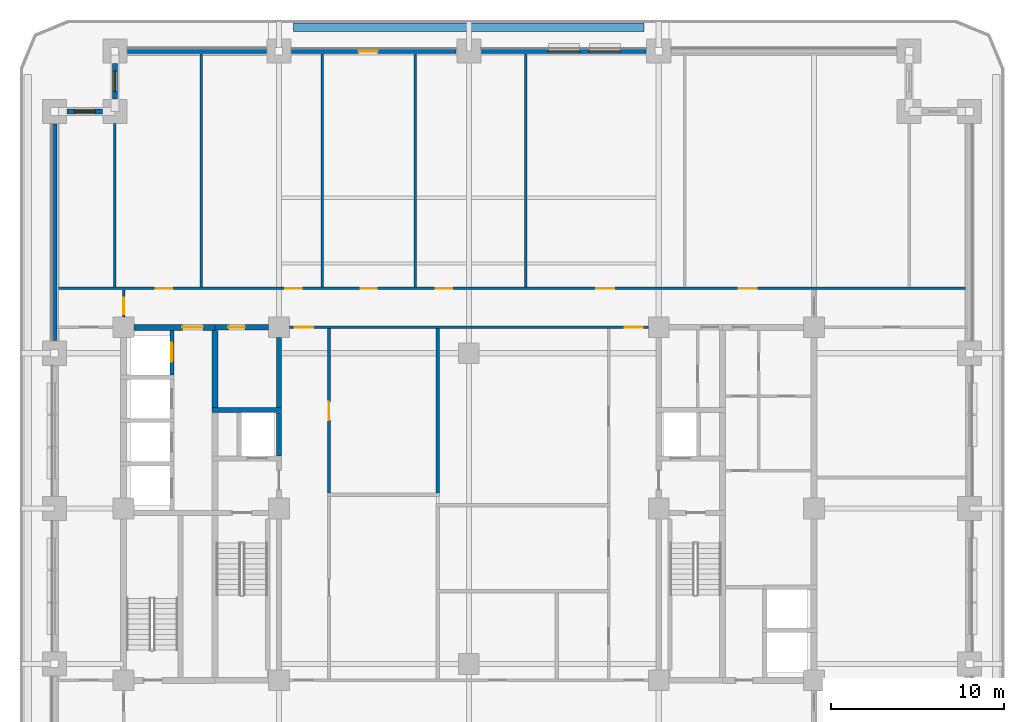
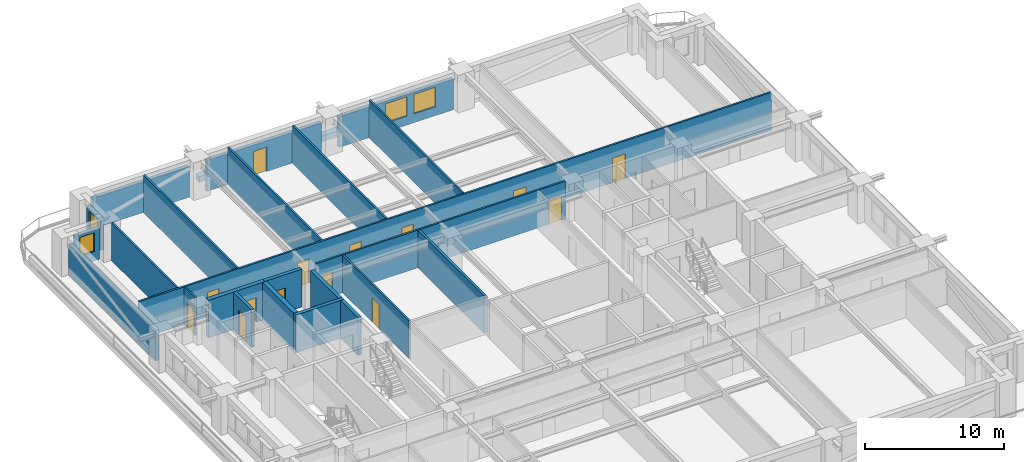
# One storey, part 5 of 15: 24 walls, 14 doors, 4 windows, 18 openings.
"""IFC4 building model written with IfcOpenShell, lengths in metres."""

from ifc_helpers import new_model, si_unit, direction, frame, frame_2d, origin, place, context, subcontext, project, spatial, rectangle, extrude, material, layer, layer_set, type_object, element, fill, save


model = new_model("IFC4")

# Units and contexts
model_context = context("Model", 3, precision=1e-05, world=origin(), true_north=direction((0.0, 1.0)))
body_context = subcontext(model_context, "Body", "Model", "MODEL_VIEW")
ifc_project = project(units=[si_unit("LENGTHUNIT", "METRE"), si_unit("AREAUNIT", "SQUARE_METRE"), si_unit("VOLUMEUNIT", "CUBIC_METRE"), si_unit("PLANEANGLEUNIT", "RADIAN"), si_unit("MASSUNIT", "GRAM", prefix="KILO")], contexts=[model_context])

# Site, building, storey
site_placement = place(None, origin())
site = spatial("IfcSite", under=ifc_project, at=site_placement, CompositionType="ELEMENT")
building_placement = place(site_placement, origin())
building = spatial("IfcBuilding", under=site, at=building_placement, Name="Zulmaris Gate Convention Tower", CompositionType="ELEMENT")
storey_placement = place(building_placement, frame((0.0, 0.0, 37.909912109375)))
storey = spatial("IfcBuildingStorey", under=building, at=storey_placement, Name="L08", CompositionType="ELEMENT", Elevation=37.909912109375)

# Wall, opening, door
ifc_material_1 = material(Name="Concrete C50/60", Category="concrete")
ifc_layer_1 = layer(ifc_material_1, 0.25, Name="Concrete C50/60")
ifc_layer_set_1 = layer_set([ifc_layer_1], Name="Concrete C50/60")
wall_type_1 = type_object("IfcWallType", Name="CORE-250", PredefinedType="SOLIDWALL", material=ifc_layer_set_1)
wall_1_placement = place(storey_placement, frame((-17.199951171875, 7.72705078125, 0.0), z_axis=(0.0, 0.0, 1.0), x_axis=(0.0, 1.0, 0.0)))
wall_1 = element("IfcWall", 1, at=wall_1_placement, inside=storey, type_object=wall_type_1, Name="WL-L08-043", PredefinedType="SOLIDWALL", context=body_context, shape_type="SweptSolid", body=[
    extrude(rectangle(XDim=2.595947265625, YDim=0.25, at=frame_2d((1.2978515625, 0.0))), origin(), (0.0, 0.0, 1.0), 3.320068359375),
])
opening_1_placement = place(wall_1_placement, frame((0.77294921875, 0.0, 0.0)))
opening_1 = element("IfcOpeningElement", 2, at=opening_1_placement, cuts=wall_1, Name="Opening D-06", PredefinedType="OPENING", context=body_context, shape_type="SweptSolid", body=[
    extrude(rectangle(XDim=1.10009765625, YDim=2.199951171875, at=frame_2d((0.550048828125, 1.10009765625))), frame((0.0, 0.135009765625, 0.0), z_axis=(0.0, -1.0, 0.0), x_axis=(1.0, 0.0, 0.0)), (0.0, 0.0, 1.0), 0.27001953125),
])
ifc_material_2 = material(Name="Brushed Stainless Steel", Category="steel")
door_type_1 = type_object("IfcDoorType", Name="LD-1100", OperationType="NOTDEFINED", PredefinedType="DOOR", material=ifc_material_2)
door_1_placement = place(opening_1_placement, origin())
door_1 = element("IfcDoor", 3, at=door_1_placement, inside=storey, type_object=door_type_1, Name="L08 Lift Landing Door LP-04 15", OperationType="SLIDING_TO_LEFT", OverallHeight=2.199951171875, OverallWidth=1.10009765625, PredefinedType="DOOR", context=body_context, shape_type="SweptSolid", body=[
    extrude(rectangle(XDim=1.10009765625, YDim=2.199951171875, at=frame_2d((0.550048828125, 1.10009765625))), frame((0.0, 0.02490234375, 0.0), z_axis=(0.0, -1.0, 0.0), x_axis=(1.0, 0.0, 0.0)), (0.0, 0.0, 1.0), 0.050048828125),
])
fill(opening_1, door_1)

# Wall
ifc_layer_2 = layer(ifc_material_1, 0.300048828125, Name="Concrete C50/60")
ifc_layer_set_2 = layer_set([ifc_layer_2], Name="Concrete C50/60")
wall_type_2 = type_object("IfcWallType", Name="CORE-300", PredefinedType="SHEAR", material=ifc_layer_set_2)
wall_2_placement = place(storey_placement, frame((-14.875, 5.699951171875, 0.0), z_axis=(0.0, 0.0, 1.0), x_axis=(1.0, 0.0, 0.0)))
element("IfcWall", 4, at=wall_2_placement, inside=storey, type_object=wall_type_2, Name="WL-L08-013", PredefinedType="SHEAR", context=body_context, shape_type="SweptSolid", body=[
    extrude(rectangle(XDim=4.02490234375, YDim=0.300048828125, at=frame_2d((2.012451171875, 0.0))), origin(), (0.0, 0.0, 1.0), 3.320068359375),
])

# Wall, opening, door
wall_3_placement = place(storey_placement, frame((-14.699951171875, 10.5, 0.0), z_axis=(0.0, 0.0, 1.0), x_axis=(1.0, 0.0, 0.0)))
wall_3 = element("IfcWall", 5, at=wall_3_placement, inside=storey, type_object=wall_type_2, Name="WL-L08-017", PredefinedType="SHEAR", context=body_context, shape_type="SweptSolid", body=[
    extrude(rectangle(XDim=3.095947265625, YDim=0.300048828125, at=frame_2d((1.5478515625, 0.0))), origin(), (0.0, 0.0, 1.0), 3.320068359375),
])
opening_2_placement = place(wall_3_placement, frame((0.77490234375, 0.0, 0.0)))
opening_2 = element("IfcOpeningElement", 6, at=opening_2_placement, cuts=wall_3, Name="Opening D-11", PredefinedType="OPENING", context=body_context, shape_type="SweptSolid", body=[
    extrude(rectangle(XDim=0.949951171875, YDim=2.14990234375, at=frame_2d((0.47509765625, 1.074951171875))), frame((0.0, 0.16015625, 0.0), z_axis=(0.0, -1.0, 0.0), x_axis=(1.0, 0.0, 0.0)), (0.0, 0.0, 1.0), 0.320068359375),
])
ifc_material_3 = material(Name="Fire-Rated Timber", Category="wood")
door_type_2 = type_object("IfcDoorType", Name="DR-950-FD", OperationType="NOTDEFINED", PredefinedType="DOOR", material=ifc_material_3)
door_2_placement = place(opening_2_placement, origin())
door_2 = element("IfcDoor", 7, at=door_2_placement, inside=storey, type_object=door_type_2, Name="L08 Core Archive Door 07", OperationType="SINGLE_SWING_LEFT", OverallHeight=2.14990234375, OverallWidth=0.949951171875, PredefinedType="DOOR", context=body_context, shape_type="SweptSolid", body=[
    extrude(rectangle(XDim=0.949951171875, YDim=2.14990234375, at=frame_2d((0.47509765625, 1.074951171875))), frame((0.0, 0.02490234375, 0.0), z_axis=(0.0, -1.0, 0.0), x_axis=(1.0, 0.0, 0.0)), (0.0, 0.0, 1.0), 0.050048828125),
])
fill(opening_2, door_2)

# Walls
wall_4_placement = place(storey_placement, frame((-11.0, 3.052001953125, 0.0), z_axis=(0.0, 0.0, 1.0), x_axis=(0.0, 1.0, 0.0)))
element("IfcWall", 8, at=wall_4_placement, inside=storey, type_object=wall_type_2, Name="WL-L08-053", PredefinedType="SHEAR", context=body_context, shape_type="SweptSolid", body=[
    extrude(rectangle(XDim=2.49609375, YDim=0.300048828125, at=frame_2d((1.248046875, 0.0))), origin(), (0.0, 0.0, 1.0), 3.320068359375),
])
wall_5_placement = place(storey_placement, frame((-11.0, 5.85205078125, 0.0), z_axis=(0.0, 0.0, 1.0), x_axis=(0.0, 1.0, 0.0)))
element("IfcWall", 9, at=wall_5_placement, inside=storey, type_object=wall_type_2, Name="WL-L08-054", PredefinedType="SHEAR", context=body_context, shape_type="SweptSolid", body=[
    extrude(rectangle(XDim=4.0439453125, YDim=0.300048828125, at=frame_2d((2.02197265625, 0.0))), origin(), (0.0, 0.0, 1.0), 3.320068359375),
])

# Wall, opening, door
ifc_material_4 = material(Name="Concrete C55/67", Category="concrete")
ifc_layer_3 = layer(ifc_material_4, 0.35009765625, Name="Concrete C55/67")
ifc_layer_set_3 = layer_set([ifc_layer_3], Name="Concrete C55/67")
wall_type_3 = type_object("IfcWallType", Name="CORE-350", PredefinedType="SHEAR", material=ifc_layer_set_3)
wall_6_placement = place(storey_placement, frame((-19.39599609375, 10.5, 0.0), z_axis=(0.0, 0.0, 1.0), x_axis=(1.0, 0.0, 0.0)))
wall_6 = element("IfcWall", 10, at=wall_6_placement, inside=storey, type_object=wall_type_3, Name="WL-L08-016", PredefinedType="SHEAR", context=body_context, shape_type="SweptSolid", body=[
    extrude(rectangle(XDim=4.696044921875, YDim=0.35009765625, at=frame_2d((2.34814453125, 0.0))), origin(), (0.0, 0.0, 1.0), 3.320068359375),
])
opening_3_placement = place(wall_6_placement, frame((2.7958984375, 0.0, 0.0)))
opening_3 = element("IfcOpeningElement", 11, at=opening_3_placement, cuts=wall_6, Name="Opening D-13", PredefinedType="OPENING", context=body_context, shape_type="SweptSolid", body=[
    extrude(rectangle(XDim=1.199951171875, YDim=2.14990234375, at=frame_2d((0.60009765625, 1.074951171875))), frame((0.0, 0.18505859375, 0.0), z_axis=(0.0, -1.0, 0.0), x_axis=(1.0, 0.0, 0.0)), (0.0, 0.0, 1.0), 0.3701171875),
])
ifc_material_5 = material(Name="Fire-Rated Steel", Category="steel")
door_type_3 = type_object("IfcDoorType", Name="DR-1200-FD", OperationType="NOTDEFINED", PredefinedType="DOOR", material=ifc_material_5)
door_3_placement = place(opening_3_placement, origin())
door_3 = element("IfcDoor", 12, at=door_3_placement, inside=storey, type_object=door_type_3, Name="L08 Low-Rise Lift Lobby Door 11", OperationType="SINGLE_SWING_LEFT", OverallHeight=2.14990234375, OverallWidth=1.199951171875, PredefinedType="DOOR", context=body_context, shape_type="SweptSolid", body=[
    extrude(rectangle(XDim=1.199951171875, YDim=2.14990234375, at=frame_2d((0.60009765625, 1.074951171875))), frame((0.0, 0.02490234375, 0.0), z_axis=(0.0, -1.0, 0.0), x_axis=(1.0, 0.0, 0.0)), (0.0, 0.0, 1.0), 0.050048828125),
])
fill(opening_3, door_3)

# Wall
wall_7_placement = place(storey_placement, frame((-14.699951171875, 5.85205078125, 0.0), z_axis=(0.0, 0.0, 1.0), x_axis=(0.0, 1.0, 0.0)))
element("IfcWall", 13, at=wall_7_placement, inside=storey, type_object=wall_type_3, Name="WL-L08-048", PredefinedType="SHEAR", context=body_context, shape_type="SweptSolid", body=[
    extrude(rectangle(XDim=4.470947265625, YDim=0.35009765625, at=frame_2d((2.2353515625, 0.0))), origin(), (0.0, 0.0, 1.0), 3.320068359375),
])

# Wall, openings, doors
ifc_material_6 = material(Name="Gypsum Metal Stud Partition")
ifc_layer_4 = layer(ifc_material_6, 0.14990234375, Name="Gypsum Metal Stud Partition")
ifc_layer_set_4 = layer_set([ifc_layer_4], Name="Gypsum Metal Stud Partition")
wall_type_4 = type_object("IfcWallType", Name="PART-150", PredefinedType="PARTITIONING", material=ifc_layer_set_4)
wall_8_placement = place(storey_placement, frame((-10.39404296875, 10.5, 0.0), z_axis=(0.0, 0.0, 1.0), x_axis=(1.0, 0.0, 0.0)))
wall_8 = element("IfcWall", 14, at=wall_8_placement, inside=storey, type_object=wall_type_4, Name="WL-L08-032", PredefinedType="PARTITIONING", context=body_context, shape_type="SweptSolid", body=[
    extrude(rectangle(XDim=20.7880859375, YDim=0.14990234375, at=frame_2d((10.39404296875, 0.0))), origin(), (0.0, 0.0, 1.0), 3.320068359375),
])
opening_4_placement = place(wall_8_placement, frame((0.319091796875, 0.0, 0.0)))
opening_4 = element("IfcOpeningElement", 15, at=opening_4_placement, cuts=wall_8, Name="Opening D-09", PredefinedType="OPENING", context=body_context, shape_type="SweptSolid", body=[
    extrude(rectangle(XDim=1.050048828125, YDim=2.14990234375, at=frame_2d((0.52490234375, 1.074951171875))), frame((0.0, 0.0849609375, 0.0), z_axis=(0.0, -1.0, 0.0), x_axis=(1.0, 0.0, 0.0)), (0.0, 0.0, 1.0), 0.169921875),
])
opening_5_placement = place(wall_8_placement, frame((19.4189453125, 0.0, 0.0)))
opening_5 = element("IfcOpeningElement", 16, at=opening_5_placement, cuts=wall_8, Name="Opening D-09", PredefinedType="OPENING", context=body_context, shape_type="SweptSolid", body=[
    extrude(rectangle(XDim=1.050048828125, YDim=2.14990234375, at=frame_2d((0.52490234375, 1.074951171875))), frame((0.0, 0.0849609375, 0.0), z_axis=(0.0, -1.0, 0.0), x_axis=(1.0, 0.0, 0.0)), (0.0, 0.0, 1.0), 0.169921875),
])
door_type_4 = type_object("IfcDoorType", Name="DR-1050-FD", OperationType="NOTDEFINED", PredefinedType="DOOR", material=ifc_material_5)
door_4_placement = place(opening_4_placement, origin())
door_4 = element("IfcDoor", 17, at=door_4_placement, inside=storey, type_object=door_type_4, Name="L08 NW Spine Link Door 22", OperationType="SINGLE_SWING_RIGHT", OverallHeight=2.14990234375, OverallWidth=1.050048828125, PredefinedType="DOOR", context=body_context, shape_type="SweptSolid", body=[
    extrude(rectangle(XDim=1.050048828125, YDim=2.14990234375, at=frame_2d((0.52490234375, 1.074951171875))), frame((0.0, 0.02490234375, 0.0), z_axis=(0.0, -1.0, 0.0), x_axis=(1.0, 0.0, 0.0)), (0.0, 0.0, 1.0), 0.050048828125),
])
fill(opening_4, door_4)
door_5_placement = place(opening_5_placement, origin())
door_5 = element("IfcDoor", 18, at=door_5_placement, inside=storey, type_object=door_type_4, Name="L08 NE Spine Link Door 24", OperationType="SINGLE_SWING_RIGHT", OverallHeight=2.14990234375, OverallWidth=1.050048828125, PredefinedType="DOOR", context=body_context, shape_type="SweptSolid", body=[
    extrude(rectangle(XDim=1.050048828125, YDim=2.14990234375, at=frame_2d((0.52490234375, 1.074951171875))), frame((0.0, 0.02490234375, 0.0), z_axis=(0.0, -1.0, 0.0), x_axis=(1.0, 0.0, 0.0)), (0.0, 0.0, 1.0), 0.050048828125),
])
fill(opening_5, door_5)

wall_9_placement = place(storey_placement, frame((-23.8349609375, 12.75, 0.0), z_axis=(0.0, 0.0, 1.0), x_axis=(1.0, 0.0, 0.0)))
wall_9 = element("IfcWall", 19, at=wall_9_placement, inside=storey, type_object=wall_type_4, Name="WL-L08-034", PredefinedType="PARTITIONING", context=body_context, shape_type="SweptSolid", body=[
    extrude(rectangle(XDim=52.669921875, YDim=0.14990234375, at=frame_2d((26.3349609375, 0.0))), origin(), (0.0, 0.0, 1.0), 3.320068359375),
])
opening_6_placement = place(wall_9_placement, frame((5.7099609375, 0.0, 0.0)))
opening_6 = element("IfcOpeningElement", 20, at=opening_6_placement, cuts=wall_9, Name="Opening D-11", PredefinedType="OPENING", context=body_context, shape_type="SweptSolid", body=[
    extrude(rectangle(XDim=0.949951171875, YDim=2.14990234375, at=frame_2d((0.47509765625, 1.074951171875))), frame((0.0, 0.0849609375, 0.0), z_axis=(0.0, -1.0, 0.0), x_axis=(1.0, 0.0, 0.0)), (0.0, 0.0, 1.0), 0.169921875),
])
opening_7_placement = place(wall_9_placement, frame((13.2099609375, 0.0, 0.0)))
opening_7 = element("IfcOpeningElement", 21, at=opening_7_placement, cuts=wall_9, Name="Opening D-11", PredefinedType="OPENING", context=body_context, shape_type="SweptSolid", body=[
    extrude(rectangle(XDim=0.949951171875, YDim=2.14990234375, at=frame_2d((0.47509765625, 1.074951171875))), frame((0.0, 0.0849609375, 0.0), z_axis=(0.0, -1.0, 0.0), x_axis=(1.0, 0.0, 0.0)), (0.0, 0.0, 1.0), 0.169921875),
])
opening_8_placement = place(wall_9_placement, frame((17.56005859375, 0.0, 0.0)))
opening_8 = element("IfcOpeningElement", 22, at=opening_8_placement, cuts=wall_9, Name="Opening D-11", PredefinedType="OPENING", context=body_context, shape_type="SweptSolid", body=[
    extrude(rectangle(XDim=0.949951171875, YDim=2.14990234375, at=frame_2d((0.47509765625, 1.074951171875))), frame((0.0, 0.0849609375, 0.0), z_axis=(0.0, -1.0, 0.0), x_axis=(1.0, 0.0, 0.0)), (0.0, 0.0, 1.0), 0.169921875),
])
opening_9_placement = place(wall_9_placement, frame((21.909912109375, 0.0, 0.0)))
opening_9 = element("IfcOpeningElement", 23, at=opening_9_placement, cuts=wall_9, Name="Opening D-11", PredefinedType="OPENING", context=body_context, shape_type="SweptSolid", body=[
    extrude(rectangle(XDim=0.949951171875, YDim=2.14990234375, at=frame_2d((0.47509765625, 1.074951171875))), frame((0.0, 0.0849609375, 0.0), z_axis=(0.0, -1.0, 0.0), x_axis=(1.0, 0.0, 0.0)), (0.0, 0.0, 1.0), 0.169921875),
])
opening_10_placement = place(wall_9_placement, frame((31.2099609375, 0.0, 0.0)))
opening_10 = element("IfcOpeningElement", 24, at=opening_10_placement, cuts=wall_9, Name="Opening D-09", PredefinedType="OPENING", context=body_context, shape_type="SweptSolid", body=[
    extrude(rectangle(XDim=1.050048828125, YDim=2.14990234375, at=frame_2d((0.52490234375, 1.074951171875))), frame((0.0, 0.0849609375, 0.0), z_axis=(0.0, -1.0, 0.0), x_axis=(1.0, 0.0, 0.0)), (0.0, 0.0, 1.0), 0.169921875),
])
opening_11_placement = place(wall_9_placement, frame((39.4599609375, 0.0, 0.0)))
opening_11 = element("IfcOpeningElement", 25, at=opening_11_placement, cuts=wall_9, Name="Opening D-09", PredefinedType="OPENING", context=body_context, shape_type="SweptSolid", body=[
    extrude(rectangle(XDim=1.050048828125, YDim=2.14990234375, at=frame_2d((0.52490234375, 1.074951171875))), frame((0.0, 0.0849609375, 0.0), z_axis=(0.0, -1.0, 0.0), x_axis=(1.0, 0.0, 0.0)), (0.0, 0.0, 1.0), 0.169921875),
])
door_6_placement = place(opening_10_placement, origin())
door_6 = element("IfcDoor", 26, at=door_6_placement, inside=storey, type_object=door_type_4, Name="L08 Executive Boardroom Door 30", OperationType="SINGLE_SWING_RIGHT", OverallHeight=2.14990234375, OverallWidth=1.050048828125, PredefinedType="DOOR", context=body_context, shape_type="SweptSolid", body=[
    extrude(rectangle(XDim=1.050048828125, YDim=2.14990234375, at=frame_2d((0.52490234375, 1.074951171875))), frame((0.0, 0.02490234375, 0.0), z_axis=(0.0, -1.0, 0.0), x_axis=(1.0, 0.0, 0.0)), (0.0, 0.0, 1.0), 0.050048828125),
])
fill(opening_10, door_6)
door_7_placement = place(opening_11_placement, origin())
door_7 = element("IfcDoor", 27, at=door_7_placement, inside=storey, type_object=door_type_4, Name="L08 Corporate Strategy Office Door 31", OperationType="SINGLE_SWING_LEFT", OverallHeight=2.14990234375, OverallWidth=1.050048828125, PredefinedType="DOOR", context=body_context, shape_type="SweptSolid", body=[
    extrude(rectangle(XDim=1.050048828125, YDim=2.14990234375, at=frame_2d((0.52490234375, 1.074951171875))), frame((0.0, 0.02490234375, 0.0), z_axis=(0.0, -1.0, 0.0), x_axis=(1.0, 0.0, 0.0)), (0.0, 0.0, 1.0), 0.050048828125),
])
fill(opening_11, door_7)
door_8_placement = place(opening_6_placement, origin())
door_8 = element("IfcDoor", 28, at=door_8_placement, inside=storey, type_object=door_type_2, Name="L08 Executive Boardroom Door 26", OperationType="SINGLE_SWING_RIGHT", OverallHeight=2.14990234375, OverallWidth=0.949951171875, PredefinedType="DOOR", context=body_context, shape_type="SweptSolid", body=[
    extrude(rectangle(XDim=0.949951171875, YDim=2.14990234375, at=frame_2d((0.47509765625, 1.074951171875))), frame((0.0, 0.02490234375, 0.0), z_axis=(0.0, -1.0, 0.0), x_axis=(1.0, 0.0, 0.0)), (0.0, 0.0, 1.0), 0.050048828125),
])
fill(opening_6, door_8)
door_9_placement = place(opening_7_placement, origin())
door_9 = element("IfcDoor", 29, at=door_9_placement, inside=storey, type_object=door_type_2, Name="L08 Corporate Strategy Office Door 27", OperationType="SINGLE_SWING_LEFT", OverallHeight=2.14990234375, OverallWidth=0.949951171875, PredefinedType="DOOR", context=body_context, shape_type="SweptSolid", body=[
    extrude(rectangle(XDim=0.949951171875, YDim=2.14990234375, at=frame_2d((0.47509765625, 1.074951171875))), frame((0.0, 0.02490234375, 0.0), z_axis=(0.0, -1.0, 0.0), x_axis=(1.0, 0.0, 0.0)), (0.0, 0.0, 1.0), 0.050048828125),
])
fill(opening_7, door_9)
door_10_placement = place(opening_8_placement, origin())
door_10 = element("IfcDoor", 30, at=door_10_placement, inside=storey, type_object=door_type_2, Name="L08 Project Advisory Studio Door 28", OperationType="SINGLE_SWING_RIGHT", OverallHeight=2.14990234375, OverallWidth=0.949951171875, PredefinedType="DOOR", context=body_context, shape_type="SweptSolid", body=[
    extrude(rectangle(XDim=0.949951171875, YDim=2.14990234375, at=frame_2d((0.47509765625, 1.074951171875))), frame((0.0, 0.02490234375, 0.0), z_axis=(0.0, -1.0, 0.0), x_axis=(1.0, 0.0, 0.0)), (0.0, 0.0, 1.0), 0.050048828125),
])
fill(opening_8, door_10)
door_11_placement = place(opening_9_placement, origin())
door_11 = element("IfcDoor", 31, at=door_11_placement, inside=storey, type_object=door_type_2, Name="L08 Policy Research Study Door 29", OperationType="SINGLE_SWING_LEFT", OverallHeight=2.14990234375, OverallWidth=0.949951171875, PredefinedType="DOOR", context=body_context, shape_type="SweptSolid", body=[
    extrude(rectangle(XDim=0.949951171875, YDim=2.14990234375, at=frame_2d((0.47509765625, 1.074951171875))), frame((0.0, 0.02490234375, 0.0), z_axis=(0.0, -1.0, 0.0), x_axis=(1.0, 0.0, 0.0)), (0.0, 0.0, 1.0), 0.050048828125),
])
fill(opening_9, door_11)

# Wall
wall_10_placement = place(storey_placement, frame((-20.5, 12.827880859375, 0.0), z_axis=(0.0, 0.0, 1.0), x_axis=(0.0, 1.0, 0.0)))
element("IfcWall", 32, at=wall_10_placement, inside=storey, type_object=wall_type_4, Name="WL-L08-071", PredefinedType="PARTITIONING", context=body_context, shape_type="SweptSolid", body=[
    extrude(rectangle(XDim=9.466064453125, YDim=0.14990234375, at=frame_2d((4.73291015625, 0.0))), origin(), (0.0, 0.0, 1.0), 3.320068359375),
])

# Wall, opening, door
wall_11_placement = place(storey_placement, frame((-20.0, 11.10595703125, 0.0), z_axis=(0.0, 0.0, 1.0), x_axis=(0.0, 1.0, 0.0)))
wall_11 = element("IfcWall", 33, at=wall_11_placement, inside=storey, type_object=wall_type_4, Name="WL-L08-073", PredefinedType="PARTITIONING", context=body_context, shape_type="SweptSolid", body=[
    extrude(rectangle(XDim=1.566162109375, YDim=0.14990234375, at=frame_2d((0.783203125, 0.0))), origin(), (0.0, 0.0, 1.0), 3.320068359375),
])
opening_12_placement = place(wall_11_placement, frame((0.14990234375, 0.0, 0.0)))
opening_12 = element("IfcOpeningElement", 34, at=opening_12_placement, cuts=wall_11, Name="Opening D-11", PredefinedType="OPENING", context=body_context, shape_type="SweptSolid", body=[
    extrude(rectangle(XDim=0.949951171875, YDim=2.14990234375, at=frame_2d((0.47509765625, 1.074951171875))), frame((0.0, 0.0849609375, 0.0), z_axis=(0.0, -1.0, 0.0), x_axis=(1.0, 0.0, 0.0)), (0.0, 0.0, 1.0), 0.169921875),
])
door_12_placement = place(opening_12_placement, origin())
door_12 = element("IfcDoor", 35, at=door_12_placement, inside=storey, type_object=door_type_2, Name="L08 NW Spur Door 44", OperationType="SINGLE_SWING_RIGHT", OverallHeight=2.14990234375, OverallWidth=0.949951171875, PredefinedType="DOOR", context=body_context, shape_type="SweptSolid", body=[
    extrude(rectangle(XDim=0.949951171875, YDim=2.14990234375, at=frame_2d((0.47509765625, 1.074951171875))), frame((0.0, 0.02490234375, 0.0), z_axis=(0.0, -1.0, 0.0), x_axis=(1.0, 0.0, 0.0)), (0.0, 0.0, 1.0), 0.050048828125),
])
fill(opening_12, door_12)

# Walls
for number, where, z_axis, x_axis, name in (
    (36, (-15.5, 12.827880859375, 0.0), (0.0, 0.0, 1.0), (0.0, 1.0, 0.0), "WL-L08-075"),
    (37, (-8.5, 12.827880859375, 0.0), (0.0, 0.0, 1.0), (0.0, 1.0, 0.0), "WL-L08-077"),
):
    element("IfcWall", number, at=place(storey_placement, frame(where, z_axis=z_axis, x_axis=x_axis)), inside=storey, type_object=wall_type_4, Name=name, PredefinedType="PARTITIONING", context=body_context, shape_type="SweptSolid", body=[
        extrude(rectangle(XDim=13.507080078125, YDim=0.14990234375, at=frame_2d((6.75341796875, 0.0))), origin(), (0.0, 0.0, 1.0), 3.320068359375),
    ])

# Wall, opening, door
wall_12_placement = place(storey_placement, frame((-8.10009765625, 0.903076171875, 0.0), z_axis=(0.0, 0.0, 1.0), x_axis=(0.0, 1.0, 0.0)))
wall_12 = element("IfcWall", 38, at=wall_12_placement, inside=storey, type_object=wall_type_4, Name="WL-L08-079", PredefinedType="PARTITIONING", context=body_context, shape_type="SweptSolid", body=[
    extrude(rectangle(XDim=9.51904296875, YDim=0.14990234375, at=frame_2d((4.759521484375, 0.0))), origin(), (0.0, 0.0, 1.0), 3.320068359375),
])
opening_13_placement = place(wall_12_placement, frame((4.221923828125, 0.0, 0.0)))
opening_13 = element("IfcOpeningElement", 39, at=opening_13_placement, cuts=wall_12, Name="Opening D-09", PredefinedType="OPENING", context=body_context, shape_type="SweptSolid", body=[
    extrude(rectangle(XDim=1.050048828125, YDim=2.14990234375, at=frame_2d((0.52490234375, 1.074951171875))), frame((0.0, 0.0849609375, 0.0), z_axis=(0.0, -1.0, 0.0), x_axis=(1.0, 0.0, 0.0)), (0.0, 0.0, 1.0), 0.169921875),
])
door_13_placement = place(opening_13_placement, origin())
door_13 = element("IfcDoor", 40, at=door_13_placement, inside=storey, type_object=door_type_4, Name="L08 Boardroom Door 38", OperationType="SINGLE_SWING_RIGHT", OverallHeight=2.14990234375, OverallWidth=1.050048828125, PredefinedType="DOOR", context=body_context, shape_type="SweptSolid", body=[
    extrude(rectangle(XDim=1.050048828125, YDim=2.14990234375, at=frame_2d((0.52490234375, 1.074951171875))), frame((0.0, 0.02490234375, 0.0), z_axis=(0.0, -1.0, 0.0), x_axis=(1.0, 0.0, 0.0)), (0.0, 0.0, 1.0), 0.050048828125),
])
fill(opening_13, door_13)

# Walls
for number, where, z_axis, x_axis, name in (
    (41, (-3.10009765625, 12.827880859375, 0.0), (0.0, 0.0, 1.0), (0.0, 1.0, 0.0), "WL-L08-080"),
    (42, (3.300048828125, 12.827880859375, 0.0), (0.0, 0.0, 1.0), (0.0, 1.0, 0.0), "WL-L08-086"),
):
    element("IfcWall", number, at=place(storey_placement, frame(where, z_axis=z_axis, x_axis=x_axis)), inside=storey, type_object=wall_type_4, Name=name, PredefinedType="PARTITIONING", context=body_context, shape_type="SweptSolid", body=[
        extrude(rectangle(XDim=13.507080078125, YDim=0.14990234375, at=frame_2d((6.75341796875, 0.0))), origin(), (0.0, 0.0, 1.0), 3.320068359375),
    ])
ifc_material_7 = material(Name="Autoclaved Aerated Concrete Block and Plasterboard", Category="concrete")
ifc_layer_5 = layer(ifc_material_7, 0.199951171875, Name="Autoclaved Aerated Concrete Block and Plasterboard")
ifc_layer_set_5 = layer_set([ifc_layer_5], Name="Autoclaved Aerated Concrete Block and Plasterboard")
wall_type_5 = type_object("IfcWallType", Name="PART-200", PredefinedType="PARTITIONING", material=ifc_layer_set_5)
wall_13_placement = place(storey_placement, frame((-1.800048828125, 0.903076171875, 0.0), z_axis=(0.0, 0.0, 1.0), x_axis=(0.0, 1.0, 0.0)))
element("IfcWall", 43, at=wall_13_placement, inside=storey, type_object=wall_type_5, Name="WL-L08-084", PredefinedType="PARTITIONING", context=body_context, shape_type="SweptSolid", body=[
    extrude(rectangle(XDim=9.51904296875, YDim=0.199951171875, at=frame_2d((4.759521484375, 0.0))), origin(), (0.0, 0.0, 1.0), 3.320068359375),
])
ifc_material_8 = material(Name="Botanical Green Glazed Precast Concrete C40/50", Category="concrete")
ifc_layer_6 = layer(ifc_material_8, 0.419921875, Name="Botanical Green Glazed Precast Concrete C40/50")
ifc_layer_set_6 = layer_set([ifc_layer_6], Name="Botanical Green Glazed Precast Concrete C40/50")
wall_type_6 = type_object("IfcWallType", Name="PLANTER-CURB-200", PredefinedType="PARAPET", material=ifc_layer_set_6)
wall_14_placement = place(storey_placement, frame((-10.14990234375, 27.8798828125, -0.0400390625), z_axis=(0.0, 0.0, 1.0), x_axis=(1.0, 0.0, 0.0)))
element("IfcWall", 44, at=wall_14_placement, inside=storey, type_object=wall_type_6, Name="L08 Full-Length Balcony Tree Planter Trough", PredefinedType="PARAPET", context=body_context, shape_type="SweptSolid", body=[
    extrude(rectangle(XDim=20.2998046875, YDim=0.47998046875, at=frame_2d((10.14990234375, 0.0))), origin(), (0.0, 0.0, 1.0), 0.52001953125),
])

# Wall, opening, window
ifc_material_9 = material(Name="Precast concrete C40/50", Category="concrete")
ifc_layer_7 = layer(ifc_material_9, 0.300048828125, Name="Precast concrete C40/50")
ifc_layer_set_7 = layer_set([ifc_layer_7], Name="Precast concrete C40/50")
wall_type_7 = type_object("IfcWallType", Name="PRECAST-PIER-300", PredefinedType="STANDARD", material=ifc_layer_set_7)
wall_15_placement = place(storey_placement, frame((-20.5, 25.77001953125, 0.0), z_axis=(0.0, 0.0, 1.0), x_axis=(0.0, -1.0, 0.0)))
wall_15 = element("IfcWall", 45, at=wall_15_placement, inside=storey, type_object=wall_type_7, Name="EW-L08-NOTCH-NW1_0", PredefinedType="STANDARD", context=body_context, shape_type="SweptSolid", body=[
    extrude(rectangle(XDim=2.0400390625, YDim=0.300048828125, at=frame_2d((1.02001953125, 0.0))), origin(), (0.0, 0.0, 1.0), 2.712158203125),
])
opening_14_placement = place(wall_15_placement, frame((0.419921875, 0.0, 0.820068359375)))
opening_14 = element("IfcOpeningElement", 46, at=opening_14_placement, cuts=wall_15, Name="Opening W-04", PredefinedType="OPENING", context=body_context, shape_type="SweptSolid", body=[
    extrude(rectangle(XDim=1.199951171875, YDim=1.64990234375, at=frame_2d((0.60009765625, 0.824951171875))), frame((0.0, 0.16015625, 0.0), z_axis=(0.0, -1.0, 0.0), x_axis=(1.0, 0.0, 0.0)), (0.0, 0.0, 1.0), 0.320068359375),
])
ifc_material_10 = material(Name="Low-E Laminated Double Glazing in Aluminium Frame", Category="aluminium")
window_type_1 = type_object("IfcWindowType", Name="WIN-1200x2100", PartitioningType="SINGLE_PANEL", PredefinedType="WINDOW", material=ifc_material_10)
window_1_placement = place(opening_14_placement, origin())
window_1 = element("IfcWindow", 47, at=window_1_placement, inside=storey, type_object=window_type_1, Name="WN-EW-L08-NOTCH-NW1_0", OverallHeight=1.64990234375, OverallWidth=1.199951171875, PartitioningType="SINGLE_PANEL", PredefinedType="WINDOW", context=body_context, shape_type="SweptSolid", body=[
    extrude(rectangle(XDim=1.199951171875, YDim=1.64990234375, at=frame_2d((0.60009765625, 0.824951171875))), frame((0.0, 0.030029296875, 0.0), z_axis=(0.0, -1.0, 0.0), x_axis=(1.0, 0.0, 0.0)), (0.0, 0.0, 1.0), 0.06005859375),
])
fill(opening_14, window_1)

wall_16_placement = place(storey_placement, frame((-21.22998046875, 23.0, 0.0), z_axis=(0.0, 0.0, 1.0), x_axis=(-1.0, 0.0, 0.0)))
wall_16 = element("IfcWall", 48, at=wall_16_placement, inside=storey, type_object=wall_type_7, Name="EW-L08-NOTCH-NW2_0", PredefinedType="STANDARD", context=body_context, shape_type="SweptSolid", body=[
    extrude(rectangle(XDim=2.0400390625, YDim=0.300048828125, at=frame_2d((1.02001953125, 0.0))), origin(), (0.0, 0.0, 1.0), 2.712158203125),
])
opening_15_placement = place(wall_16_placement, frame((0.419921875, 0.0, 0.820068359375)))
opening_15 = element("IfcOpeningElement", 49, at=opening_15_placement, cuts=wall_16, Name="Opening W-04", PredefinedType="OPENING", context=body_context, shape_type="SweptSolid", body=[
    extrude(rectangle(XDim=1.199951171875, YDim=1.64990234375, at=frame_2d((0.60009765625, 0.824951171875))), frame((0.0, 0.16015625, 0.0), z_axis=(0.0, -1.0, 0.0), x_axis=(1.0, 0.0, 0.0)), (0.0, 0.0, 1.0), 0.320068359375),
])
window_2_placement = place(opening_15_placement, origin())
window_2 = element("IfcWindow", 50, at=window_2_placement, inside=storey, type_object=window_type_1, Name="WN-EW-L08-NOTCH-NW2_0", OverallHeight=1.64990234375, OverallWidth=1.199951171875, PartitioningType="SINGLE_PANEL", PredefinedType="WINDOW", context=body_context, shape_type="SweptSolid", body=[
    extrude(rectangle(XDim=1.199951171875, YDim=1.64990234375, at=frame_2d((0.60009765625, 0.824951171875))), frame((0.0, 0.030029296875, 0.0), z_axis=(0.0, -1.0, 0.0), x_axis=(1.0, 0.0, 0.0)), (0.0, 0.0, 1.0), 0.06005859375),
])
fill(opening_15, window_2)

# Wall
wall_17_placement = place(storey_placement, frame((-11.72998046875, 26.5, 0.0), z_axis=(0.0, 0.0, 1.0), x_axis=(-1.0, 0.0, 0.0)))
element("IfcWall", 51, at=wall_17_placement, inside=storey, type_object=wall_type_7, Name="EW-L08-N-0_0", PredefinedType="STANDARD", context=body_context, shape_type="SweptSolid", body=[
    extrude(rectangle(XDim=8.0400390625, YDim=0.300048828125, at=frame_2d((4.02001953125, 0.0))), origin(), (0.0, 0.0, 1.0), 2.712158203125),
])

# Wall, opening, door
wall_18_placement = place(storey_placement, frame((-0.72998046875, 26.5, 0.0), z_axis=(0.0, 0.0, 1.0), x_axis=(-1.0, 0.0, 0.0)))
wall_18 = element("IfcWall", 52, at=wall_18_placement, inside=storey, type_object=wall_type_7, Name="EW-L08-N-1_0", PredefinedType="STANDARD", context=body_context, shape_type="SweptSolid", body=[
    extrude(rectangle(XDim=9.5400390625, YDim=0.300048828125, at=frame_2d((4.77001953125, 0.0))), origin(), (0.0, 0.0, 1.0), 2.712158203125),
])
opening_16_placement = place(wall_18_placement, frame((4.554931640625, 0.0, 0.0)))
opening_16 = element("IfcOpeningElement", 53, at=opening_16_placement, cuts=wall_18, Name="Opening D-04", PredefinedType="OPENING", context=body_context, shape_type="SweptSolid", body=[
    extrude(rectangle(XDim=1.10009765625, YDim=2.14990234375, at=frame_2d((0.550048828125, 1.074951171875))), frame((0.0, 0.16015625, 0.0), z_axis=(0.0, -1.0, 0.0), x_axis=(1.0, 0.0, 0.0)), (0.0, 0.0, 1.0), 0.320068359375),
])
ifc_material_11 = material(Name="Anodised Aluminium and Laminated Glass", Category="aluminium")
door_type_5 = type_object("IfcDoorType", Name="ED-1100", OperationType="SINGLE_SWING_RIGHT", PredefinedType="DOOR", material=ifc_material_11)
door_14_placement = place(opening_16_placement, origin())
door_14 = element("IfcDoor", 54, at=door_14_placement, inside=storey, type_object=door_type_5, Name="L08 N Planted Terrace Door", OperationType="SINGLE_SWING_LEFT", OverallHeight=2.14990234375, OverallWidth=1.10009765625, PredefinedType="DOOR", context=body_context, shape_type="SweptSolid", body=[
    extrude(rectangle(XDim=1.10009765625, YDim=2.14990234375, at=frame_2d((0.550048828125, 1.074951171875))), frame((0.0, 0.02490234375, 0.0), z_axis=(0.0, -1.0, 0.0), x_axis=(1.0, 0.0, 0.0)), (0.0, 0.0, 1.0), 0.050048828125),
])
fill(opening_16, door_14)

# Wall, openings, windows
wall_19_placement = place(storey_placement, frame((10.27001953125, 26.5, 0.0), z_axis=(0.0, 0.0, 1.0), x_axis=(-1.0, 0.0, 0.0)))
wall_19 = element("IfcWall", 55, at=wall_19_placement, inside=storey, type_object=wall_type_7, Name="EW-L08-N-2_0", PredefinedType="STANDARD", context=body_context, shape_type="SweptSolid", body=[
    extrude(rectangle(XDim=9.5400390625, YDim=0.300048828125, at=frame_2d((4.77001953125, 0.0))), origin(), (0.0, 0.0, 1.0), 2.712158203125),
])
opening_17_placement = place(wall_19_placement, frame((1.485107421875, 0.0, 0.780029296875)))
opening_17 = element("IfcOpeningElement", 56, at=opening_17_placement, cuts=wall_19, Name="Opening W-02", PredefinedType="OPENING", context=body_context, shape_type="SweptSolid", body=[
    extrude(rectangle(XDim=1.800048828125, YDim=1.719970703125, at=frame_2d((0.89990234375, 0.85986328125))), frame((0.0, 0.16015625, 0.0), z_axis=(0.0, -1.0, 0.0), x_axis=(1.0, 0.0, 0.0)), (0.0, 0.0, 1.0), 0.320068359375),
])
opening_18_placement = place(wall_19_placement, frame((3.8701171875, 0.0, 0.780029296875)))
opening_18 = element("IfcOpeningElement", 57, at=opening_18_placement, cuts=wall_19, Name="Opening W-02", PredefinedType="OPENING", context=body_context, shape_type="SweptSolid", body=[
    extrude(rectangle(XDim=1.800048828125, YDim=1.719970703125, at=frame_2d((0.89990234375, 0.85986328125))), frame((0.0, 0.16015625, 0.0), z_axis=(0.0, -1.0, 0.0), x_axis=(1.0, 0.0, 0.0)), (0.0, 0.0, 1.0), 0.320068359375),
])
window_type_2 = type_object("IfcWindowType", Name="WIN-1800x2200", PartitioningType="SINGLE_PANEL", PredefinedType="WINDOW", material=ifc_material_10)
window_3_placement = place(opening_17_placement, origin())
window_3 = element("IfcWindow", 58, at=window_3_placement, inside=storey, type_object=window_type_2, Name="WN-EW-L08-N-2_0-1", OverallHeight=1.719970703125, OverallWidth=1.800048828125, PartitioningType="SINGLE_PANEL", PredefinedType="WINDOW", context=body_context, shape_type="SweptSolid", body=[
    extrude(rectangle(XDim=1.800048828125, YDim=1.719970703125, at=frame_2d((0.89990234375, 0.85986328125))), frame((0.0, 0.030029296875, 0.0), z_axis=(0.0, -1.0, 0.0), x_axis=(1.0, 0.0, 0.0)), (0.0, 0.0, 1.0), 0.06005859375),
])
fill(opening_17, window_3)
window_4_placement = place(opening_18_placement, origin())
window_4 = element("IfcWindow", 59, at=window_4_placement, inside=storey, type_object=window_type_2, Name="WN-EW-L08-N-2_0-2", OverallHeight=1.719970703125, OverallWidth=1.800048828125, PartitioningType="SINGLE_PANEL", PredefinedType="WINDOW", context=body_context, shape_type="SweptSolid", body=[
    extrude(rectangle(XDim=1.800048828125, YDim=1.719970703125, at=frame_2d((0.89990234375, 0.85986328125))), frame((0.0, 0.030029296875, 0.0), z_axis=(0.0, -1.0, 0.0), x_axis=(1.0, 0.0, 0.0)), (0.0, 0.0, 1.0), 0.06005859375),
])
fill(opening_18, window_4)

# Wall
wall_20_placement = place(storey_placement, frame((-24.0, 22.27001953125, 0.0), z_axis=(0.0, 0.0, 1.0), x_axis=(0.0, -1.0, 0.0)))
element("IfcWall", 60, at=wall_20_placement, inside=storey, type_object=wall_type_7, Name="EW-L08-W-3_0", PredefinedType="STANDARD", context=body_context, shape_type="SweptSolid", body=[
    extrude(rectangle(XDim=12.5400390625, YDim=0.300048828125, at=frame_2d((6.27001953125, 0.0))), origin(), (0.0, 0.0, 1.0), 2.712158203125),
])

save(model, "model.ifc")
